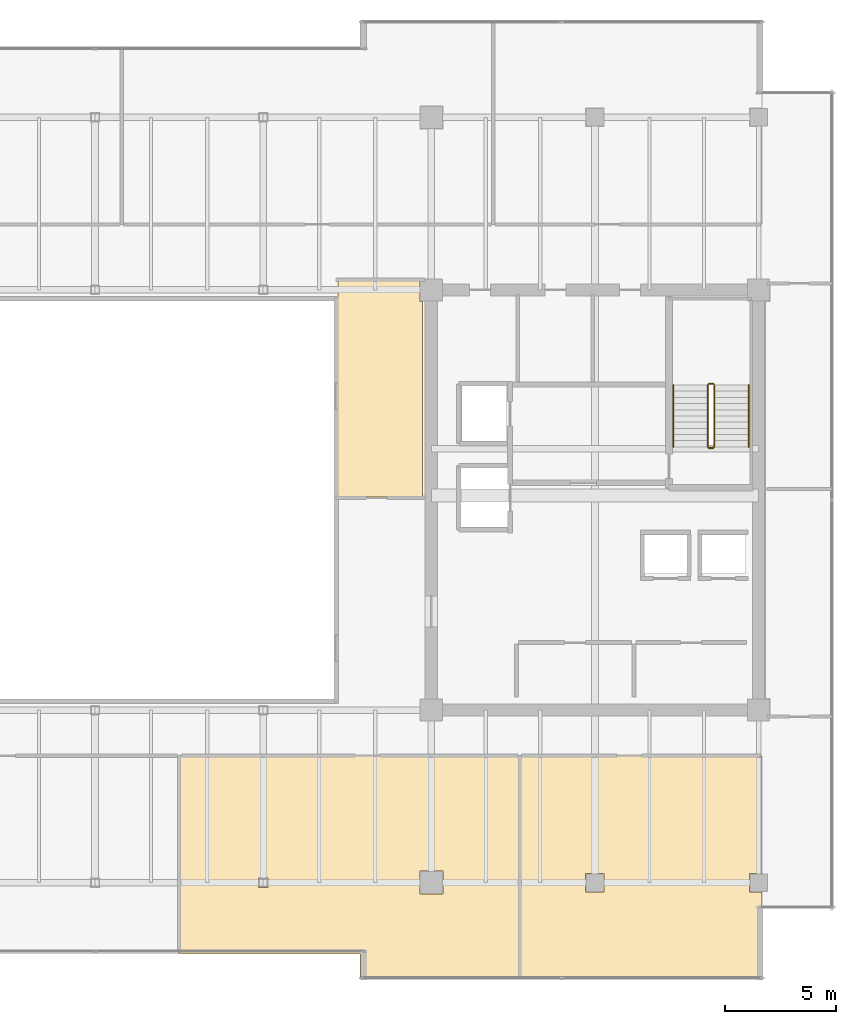
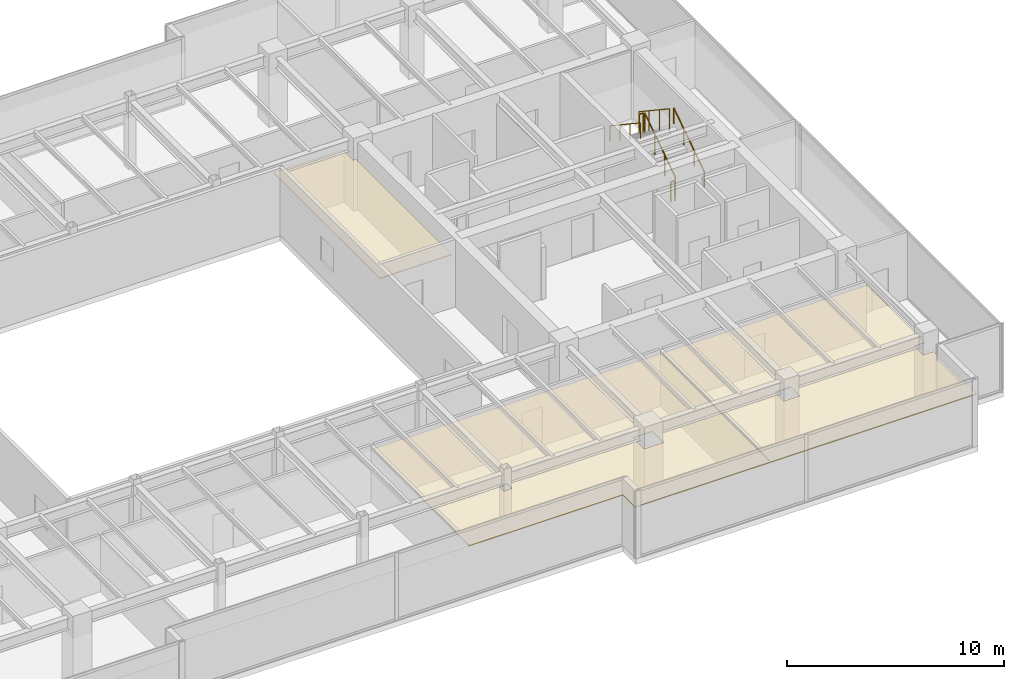
# One storey, part 34 of 35: 6 railings, 3 coverings.
"""IFC4 building model written with IfcOpenShell, lengths in metres."""

from ifc_helpers import new_model, si_unit, direction, frame, origin, origin_2d, place, context, subcontext, project, spatial, polyline, circle, outline, extrude, source, transform, mapped, material, layer, layer_set, type_object, type_shapes, element, save


model = new_model("IFC4")

# Units and contexts
model_context = context("Model", 3, precision=1e-05, world=origin(), true_north=direction((0.0, 1.0)))
body_context = subcontext(model_context, "Body", "Model", "MODEL_VIEW")
ifc_project = project(units=[si_unit("LENGTHUNIT", "METRE"), si_unit("AREAUNIT", "SQUARE_METRE"), si_unit("VOLUMEUNIT", "CUBIC_METRE"), si_unit("PLANEANGLEUNIT", "RADIAN"), si_unit("MASSUNIT", "GRAM", prefix="KILO")], contexts=[model_context])

# Site, building, storey
site_placement = place(None, origin())
site = spatial("IfcSite", under=ifc_project, at=site_placement, CompositionType="ELEMENT")
building_placement = place(site_placement, origin())
building = spatial("IfcBuilding", under=site, at=building_placement, Name="Haelvirn Gate Laboratories", CompositionType="ELEMENT")
storey_placement = place(building_placement, frame((0.0, 0.0, 221.89990234375)))
storey = spatial("IfcBuildingStorey", under=building, at=storey_placement, Name="L53", CompositionType="ELEMENT", Elevation=221.89990234375)

# Coverings
ifc_material_1 = material(Name="Washable cleanroom gasketed aluminium ceiling", Category="aluminium")
ifc_layer = layer(ifc_material_1, 0.050048828125, Name="COV-CEIL-CLN")
ifc_layer_set = layer_set([ifc_layer], Name="Washable cleanroom gasketed aluminium ceiling")
covering_type = type_object("IfcCoveringType", Name="COV-CEIL-CLN", PredefinedType="CEILING", material=ifc_layer_set)
covering_1_placement = place(storey_placement, frame((0.0, 0.0, 2.8701171875)))
element("IfcCovering", 1, at=covering_1_placement, inside=storey, type_object=covering_type, Name="L53 Laboratory Acoustic Ceiling CEIL-SP-L53-EATRIUM-POD", PredefinedType="CEILING", context=body_context, shape_type="SweptSolid", body=[
    extrude(outline(polyline([(52.2099609375, 24.43994140625), (48.389892578125, 24.43994140625), (48.389892578125, 34.239990234375), (52.080078125, 34.239990234375), (52.080078125, 33.280029296875), (52.2099609375, 33.280029296875), (52.2099609375, 24.43994140625)])), origin(), (0.0, 0.0, 1.0), 0.050048828125),
])
covering_2_placement = place(storey_placement, frame((0.0, 0.0, 2.8701171875)))
element("IfcCovering", 2, at=covering_2_placement, inside=storey, type_object=covering_type, Name="L53 Laboratory Acoustic Ceiling CEIL-SP-L53-S-04", PredefinedType="CEILING", context=body_context, shape_type="SweptSolid", body=[
    extrude(outline(polyline([(41.219970703125, 3.780029296875), (41.219970703125, 12.72998046875), (56.580078125, 12.72998046875), (56.580078125, 2.64990234375), (49.3798828125, 2.64990234375), (49.3798828125, 3.780029296875), (41.219970703125, 3.780029296875)]), holes=[polyline([(52.080078125, 7.52001953125), (52.080078125, 6.47998046875), (53.1201171875, 6.47998046875), (53.1201171875, 7.52001953125), (52.080078125, 7.52001953125)]), polyline([(45.219970703125, 7.219970703125), (44.780029296875, 7.219970703125), (44.780029296875, 6.780029296875), (45.219970703125, 6.780029296875), (45.219970703125, 7.219970703125)])]), origin(), (0.0, 0.0, 1.0), 0.050048828125),
])
covering_3_placement = place(storey_placement, frame((0.0, 0.0, 2.8701171875)))
element("IfcCovering", 3, at=covering_3_placement, inside=storey, type_object=covering_type, Name="L53 Laboratory Acoustic Ceiling CEIL-SP-L53-S-05", PredefinedType="CEILING", context=body_context, shape_type="SweptSolid", body=[
    extrude(outline(polyline([(67.550048828125, 2.64990234375), (56.6201171875, 2.64990234375), (56.6201171875, 12.72998046875), (67.550048828125, 12.72998046875), (67.550048828125, 7.419921875), (66.97998046875, 7.419921875), (66.97998046875, 6.580078125), (67.550048828125, 6.580078125), (67.550048828125, 2.64990234375)]), holes=[polyline([(59.580078125, 7.419921875), (59.580078125, 6.580078125), (60.419921875, 6.580078125), (60.419921875, 7.419921875), (59.580078125, 7.419921875)])]), origin(), (0.0, 0.0, 1.0), 0.050048828125),
])

# Railings
ifc_material_2 = material(Name="Galvanised steel SM355 & stainless top rail", Category="steel")
railing_type_1 = type_object("IfcRailingType", Name="RL-GUARD-1150", PredefinedType="GUARDRAIL", material=ifc_material_2)
shared_shape_1 = source(origin(), body_context, "Body", "SweptSolid", [
    extrude(circle(Radius=0.02392578125, at=origin_2d()), frame((0.0, 0.0, 1.1259765625), z_axis=(0.0, 0.832485552168, 0.554046753832), x_axis=(-1.0, 0.0, 0.0)), (0.0, 0.0, 1.0), 3.363525390625),
    extrude(circle(Radius=0.02099609375, at=origin_2d()), origin(), (0.0, 0.0, 1.0), 1.101806640625),
    extrude(circle(Radius=0.02099609375, at=origin_2d()), frame((0.0, 0.933349609375, 0.62109375)), (0.0, 0.0, 1.0), 1.101806640625),
    extrude(circle(Radius=0.02099609375, at=origin_2d()), frame((0.0, 1.86669921875, 1.242431640625)), (0.0, 0.0, 1.0), 1.101806640625),
    extrude(circle(Radius=0.02099609375, at=origin_2d()), frame((0.0, 2.800048828125, 1.863525390625)), (0.0, 0.0, 1.0), 1.101806640625),
])
railing_1_placement = place(storey_placement, frame((65.39990234375, 26.699951171875, 0.1865234375)))
element("IfcRailing", 4, at=railing_1_placement, inside=storey, type_object=railing_type_1, Name="L53 ST2 stair guard 1", PredefinedType="GUARDRAIL", context=body_context, shape_type="MappedRepresentation", body=[
    mapped(shared_shape_1, transform((0.0, 0.0, 0.0), scale=1.0)),
])
ifc_material_3 = material(Name="Brushed stainless steel 316L", Category="steel")
railing_type_2 = type_object("IfcRailingType", Name="RL-HAND-920", PredefinedType="HANDRAIL", material=ifc_material_3)
shared_shape_2 = source(origin(), body_context, "Body", "SweptSolid", [
    extrude(circle(Radius=0.02392578125, at=origin_2d()), frame((0.0, 0.0, 0.8759765625), z_axis=(0.0, 0.832485552168, 0.554046753832), x_axis=(-1.0, 0.0, 0.0)), (0.0, 0.0, 1.0), 3.363525390625),
    extrude(circle(Radius=0.02099609375, at=origin_2d()), origin(), (0.0, 0.0, 1.0), 0.851806640625),
    extrude(circle(Radius=0.02099609375, at=origin_2d()), frame((0.0, 0.933349609375, 0.62109375)), (0.0, 0.0, 1.0), 0.851806640625),
    extrude(circle(Radius=0.02099609375, at=origin_2d()), frame((0.0, 1.86669921875, 1.242431640625)), (0.0, 0.0, 1.0), 0.851806640625),
    extrude(circle(Radius=0.02099609375, at=origin_2d()), frame((0.0, 2.800048828125, 1.863525390625)), (0.0, 0.0, 1.0), 0.851806640625),
])
railing_2_placement = place(storey_placement, frame((66.949951171875, 26.699951171875, 0.1865234375)))
element("IfcRailing", 5, at=railing_2_placement, inside=storey, type_object=railing_type_2, Name="L53 ST2 stair handrail 1", PredefinedType="HANDRAIL", context=body_context, shape_type="MappedRepresentation", body=[
    mapped(shared_shape_2, transform((0.0, 0.0, 0.0), scale=1.0)),
])
shared_shape_3 = source(origin(), body_context, "Body", "SweptSolid", [
    extrude(circle(Radius=0.02392578125, at=origin_2d()), frame((0.0, 0.0, 1.1259765625), z_axis=(0.0, -0.832485552168, 0.554046753832), x_axis=(1.0, 0.0, 0.0)), (0.0, 0.0, 1.0), 3.363525390625),
    extrude(circle(Radius=0.02099609375, at=origin_2d()), origin(), (0.0, 0.0, 1.0), 1.101806640625),
    extrude(circle(Radius=0.02099609375, at=origin_2d()), frame((0.0, -0.933349609375, 0.62109375)), (0.0, 0.0, 1.0), 1.101806640625),
    extrude(circle(Radius=0.02099609375, at=origin_2d()), frame((0.0, -1.86669921875, 1.242431640625)), (0.0, 0.0, 1.0), 1.101806640625),
    extrude(circle(Radius=0.02099609375, at=origin_2d()), frame((0.0, -2.800048828125, 1.863525390625)), (0.0, 0.0, 1.0), 1.101806640625),
])
railing_3_placement = place(storey_placement, frame((65.10009765625, 29.5, 2.236572265625)))
element("IfcRailing", 6, at=railing_3_placement, inside=storey, type_object=railing_type_1, Name="L53 ST2 stair guard 3", PredefinedType="GUARDRAIL", context=body_context, shape_type="MappedRepresentation", body=[
    mapped(shared_shape_3, transform((0.0, 0.0, 0.0), scale=1.0)),
])
shared_shape_4 = source(origin(), body_context, "Body", "SweptSolid", [
    extrude(circle(Radius=0.02392578125, at=origin_2d()), frame((0.0, 0.0, 0.8759765625), z_axis=(0.0, -0.832485552168, 0.554046753832), x_axis=(1.0, 0.0, 0.0)), (0.0, 0.0, 1.0), 3.363525390625),
    extrude(circle(Radius=0.02099609375, at=origin_2d()), origin(), (0.0, 0.0, 1.0), 0.851806640625),
    extrude(circle(Radius=0.02099609375, at=origin_2d()), frame((0.0, -0.933349609375, 0.62109375)), (0.0, 0.0, 1.0), 0.851806640625),
    extrude(circle(Radius=0.02099609375, at=origin_2d()), frame((0.0, -1.86669921875, 1.242431640625)), (0.0, 0.0, 1.0), 0.851806640625),
    extrude(circle(Radius=0.02099609375, at=origin_2d()), frame((0.0, -2.800048828125, 1.863525390625)), (0.0, 0.0, 1.0), 0.851806640625),
])
type_shapes(railing_type_2, [shared_shape_2, shared_shape_4])
railing_4_placement = place(storey_placement, frame((63.550048828125, 29.5, 2.236572265625)))
element("IfcRailing", 7, at=railing_4_placement, inside=storey, type_object=railing_type_2, Name="L53 ST2 stair handrail 2", PredefinedType="HANDRAIL", context=body_context, shape_type="MappedRepresentation", body=[
    mapped(shared_shape_4, transform((0.0, 0.0, 0.0), scale=1.0)),
])
shared_shape_5 = source(origin(), body_context, "Body", "SweptSolid", [
    extrude(circle(Radius=0.02392578125, at=origin_2d()), frame((0.0, 0.0, 1.1259765625), z_axis=(-1.0, 0.0, 0.0), x_axis=(0.0, -1.0, 0.0)), (0.0, 0.0, 1.0), 0.2001953125),
    extrude(circle(Radius=0.02099609375, at=origin_2d()), origin(), (0.0, 0.0, 1.0), 1.101806640625),
    extrude(circle(Radius=0.02099609375, at=origin_2d()), frame((-0.2001953125, 0.0, 0.0)), (0.0, 0.0, 1.0), 1.101806640625),
])
type_shapes(railing_type_1, [shared_shape_1, shared_shape_3, shared_shape_5])
for number, where, name in (
    (8, (65.35009765625, 29.550048828125, 2.050048828125), "L53 ST2 stair guard 2"),
    (9, (65.35009765625, 26.64990234375, 0.0), "L53 ST2 stair guard 4"),
):
    element("IfcRailing", number, at=place(storey_placement, frame(where)), inside=storey, type_object=railing_type_1, Name=name, PredefinedType="GUARDRAIL", context=body_context, shape_type="MappedRepresentation", body=[
        mapped(shared_shape_5, transform((0.0, 0.0, 0.0), scale=1.0)),
    ])

save(model, "model.ifc")
